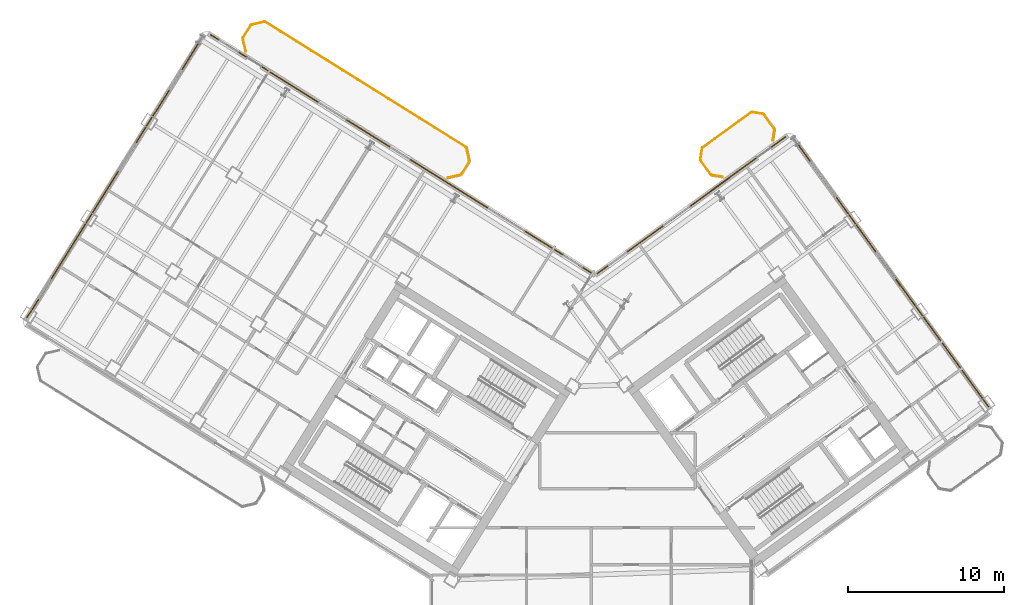
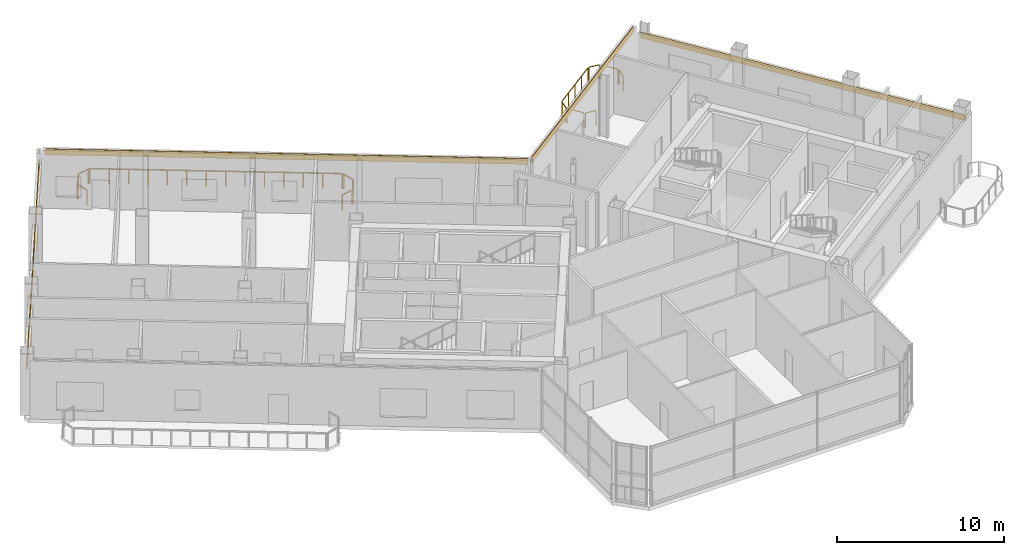
# One storey, part 21 of 21: 14 railings, 4 coverings.
"""IFC4 building model written with IfcOpenShell, lengths in metres."""

from ifc_helpers import new_model, si_unit, direction, frame, origin, origin_2d, place, context, subcontext, project, spatial, rectangle, extrude, source, transform, mapped, material, layer, layer_set, type_object, element, save


model = new_model("IFC4")

# Units and contexts
model_context = context("Model", 3, precision=1e-05, world=origin(), true_north=direction((0.0, 1.0)))
body_context = subcontext(model_context, "Body", "Model", "MODEL_VIEW")
ifc_project = project(units=[si_unit("LENGTHUNIT", "METRE"), si_unit("AREAUNIT", "SQUARE_METRE"), si_unit("VOLUMEUNIT", "CUBIC_METRE"), si_unit("PLANEANGLEUNIT", "RADIAN"), si_unit("MASSUNIT", "GRAM", prefix="KILO")], contexts=[model_context])

# Site, building, storey
site_placement = place(None, origin())
site = spatial("IfcSite", under=ifc_project, at=site_placement, CompositionType="ELEMENT")
building_placement = place(site_placement, origin())
building = spatial("IfcBuilding", under=site, at=building_placement, Name="Tlacorven Tower", CompositionType="ELEMENT")
storey_placement = place(building_placement, frame((0.0, 0.0, 199.5)))
storey = spatial("IfcBuildingStorey", under=building, at=storey_placement, Name="L50", CompositionType="ELEMENT", Elevation=199.5)

# Railings
ifc_material_1 = material(Name="Aluminium and painted steel balustrade", Category="steel")
railing_type = type_object("IfcRailingType", Name="RL-BAL-1100", PredefinedType="BALUSTRADE", material=ifc_material_1)
shared_shape_1 = source(origin(), body_context, "Body", "SweptSolid", [
    extrude(rectangle(XDim=0.048095703125, YDim=0.048095703125, at=origin_2d()), frame((0.0, 0.0, 1.076171875), z_axis=(0.974345290916, 0.225058334816, 0.0), x_axis=(-0.225058334816, 0.974345290916, 0.0)), (0.0, 0.0, 1.0), 0.80712890625),
    extrude(rectangle(XDim=0.0419921875, YDim=0.0419921875, at=origin_2d()), origin(), (0.0, 0.0, 1.0), 1.052001953125),
    extrude(rectangle(XDim=0.0419921875, YDim=0.0419921875, at=origin_2d()), frame((0.786376953125, 0.181640625, 0.0)), (0.0, 0.0, 1.0), 1.052001953125),
])
railing_1_placement = place(storey_placement, frame((20.2138671875, 47.643798828125, 0.0)))
element("IfcRailing", 1, at=railing_1_placement, inside=storey, type_object=railing_type, Name="BAL-L50-W-IN Guard Railing 6", PredefinedType="BALUSTRADE", context=body_context, shape_type="MappedRepresentation", body=[
    mapped(shared_shape_1, transform((0.0, 0.0, 0.0), scale=1.0)),
])
shared_shape_2 = source(origin(), body_context, "Body", "SweptSolid", [
    extrude(rectangle(XDim=0.048095703125, YDim=0.048095703125, at=origin_2d()), frame((0.0, 0.0, 1.076171875), z_axis=(-0.987661653326, 0.156602868908, 0.0), x_axis=(-0.156602868908, -0.987661653326, 0.0)), (0.0, 0.0, 1.0), 0.665771484375),
    extrude(rectangle(XDim=0.0419921875, YDim=0.0419921875, at=origin_2d()), origin(), (0.0, 0.0, 1.0), 1.052001953125),
    extrude(rectangle(XDim=0.0419921875, YDim=0.0419921875, at=origin_2d()), frame((-0.657470703125, 0.104248046875, 0.0)), (0.0, 0.0, 1.0), 1.052001953125),
])
railing_2_placement = place(storey_placement, frame((50.359130859375, 37.891845703125, 0.0)))
element("IfcRailing", 2, at=railing_2_placement, inside=storey, type_object=railing_type, Name="BAL-L50-E-IN Guard Railing 1", PredefinedType="BALUSTRADE", context=body_context, shape_type="MappedRepresentation", body=[
    mapped(shared_shape_2, transform((0.0, 0.0, 0.0), scale=1.0)),
])
shared_shape_3 = source(origin(), body_context, "Body", "SweptSolid", [
    extrude(rectangle(XDim=0.048095703125, YDim=0.048095703125, at=origin_2d()), frame((0.0, 0.0, 1.076171875), z_axis=(0.156602868908, 0.987661653326, 0.0), x_axis=(-0.987661653326, 0.156602868908, 0.0)), (0.0, 0.0, 1.0), 0.665771484375),
    extrude(rectangle(XDim=0.0419921875, YDim=0.0419921875, at=origin_2d()), origin(), (0.0, 0.0, 1.0), 1.052001953125),
    extrude(rectangle(XDim=0.0419921875, YDim=0.0419921875, at=origin_2d()), frame((0.104248046875, 0.657470703125, 0.0)), (0.0, 0.0, 1.0), 1.052001953125),
])
railing_3_placement = place(storey_placement, frame((48.947509765625, 39.033935546875, 0.0)))
element("IfcRailing", 3, at=railing_3_placement, inside=storey, type_object=railing_type, Name="BAL-L50-E-IN Guard Railing 3", PredefinedType="BALUSTRADE", context=body_context, shape_type="MappedRepresentation", body=[
    mapped(shared_shape_3, transform((0.0, 0.0, 0.0), scale=1.0)),
])
shared_shape_4 = source(origin(), body_context, "Body", "SweptSolid", [
    extrude(rectangle(XDim=0.048095703125, YDim=0.048095703125, at=origin_2d()), frame((0.0, 0.0, 1.076171875), z_axis=(-0.156245081039, -0.987718317463, 0.0), x_axis=(0.987718317463, -0.156245081039, 0.0)), (0.0, 0.0, 1.0), 0.66552734375),
    extrude(rectangle(XDim=0.0419921875, YDim=0.0419921875, at=origin_2d()), origin(), (0.0, 0.0, 1.0), 1.052001953125),
    extrude(rectangle(XDim=0.0419921875, YDim=0.0419921875, at=origin_2d()), frame((-0.10400390625, -0.657470703125, 0.0)), (0.0, 0.0, 1.0), 1.052001953125),
])
railing_4_placement = place(storey_placement, frame((53.689453125, 40.893310546875, 0.0)))
element("IfcRailing", 4, at=railing_4_placement, inside=storey, type_object=railing_type, Name="BAL-L50-E-IN Guard Railing 7", PredefinedType="BALUSTRADE", context=body_context, shape_type="MappedRepresentation", body=[
    mapped(shared_shape_4, transform((0.0, 0.0, 0.0), scale=1.0)),
])

# Coverings
ifc_material_2 = material(Name="Precast concrete C45/55", Category="concrete")
ifc_layer = layer(ifc_material_2, 0.06005859375)
ifc_layer_set = layer_set([ifc_layer], Name="Precast concrete C45/55")
covering_type = type_object("IfcCoveringType", Name="CV-CLD-TERC", PredefinedType="CLADDING", material=ifc_layer_set)
shared_shape_5 = source(origin(), body_context, "Body", "SweptSolid", [
    extrude(rectangle(XDim=21.287353515625, YDim=0.06005859375, at=origin_2d()), origin(), (0.0, 0.0, 1.0), 0.419921875),
])
for number, where, z_axis, x_axis, name in (
    (5, (11.419677734375, 37.864013671875, 3.304931640625), (0.0, 0.0, 1.0), (0.529919147866, 0.848048168871, 0.0), "L50 Masonry-Frame Spandrel Cladding 2"),
    (6, (61.15478515625, 31.767333984375, 3.304931640625), (0.0, 0.0, 1.0), (0.587785363163, -0.809016913823, 0.0), "L50 Masonry-Frame Spandrel Cladding 5"),
):
    element("IfcCovering", number, at=place(storey_placement, frame(where, z_axis=z_axis, x_axis=x_axis)), inside=storey, type_object=covering_type, Name=name, PredefinedType="CLADDING", context=body_context, shape_type="MappedRepresentation", body=[
        mapped(shared_shape_5, transform((0.0, 0.0, 0.0), scale=1.0)),
    ])

# Railings
shared_shape_6 = source(origin(), body_context, "Body", "SweptSolid", [
    extrude(rectangle(XDim=0.048095703125, YDim=0.048095703125, at=origin_2d()), frame((0.0, 0.0, 1.076171875), z_axis=(0.529998940003, 0.847998304005, 0.0), x_axis=(-0.847998304005, 0.529998940003, 0.0)), (0.0, 0.0, 1.0), 0.912109375),
    extrude(rectangle(XDim=0.0419921875, YDim=0.0419921875, at=origin_2d()), origin(), (0.0, 0.0, 1.0), 1.052001953125),
    extrude(rectangle(XDim=0.0419921875, YDim=0.0419921875, at=origin_2d()), frame((0.4833984375, 0.7734375, 0.0)), (0.0, 0.0, 1.0), 1.052001953125),
])
railing_5_placement = place(storey_placement, frame((19.6552734375, 46.816650390625, 0.0)))
element("IfcRailing", 7, at=railing_5_placement, inside=storey, type_object=railing_type, Name="BAL-L50-W-IN Guard Railing 5", PredefinedType="BALUSTRADE", context=body_context, shape_type="MappedRepresentation", body=[
    mapped(shared_shape_6, transform((0.0, 0.0, 0.0), scale=1.0)),
])
shared_shape_7 = source(origin(), body_context, "Body", "SweptSolid", [
    extrude(rectangle(XDim=0.048095703125, YDim=0.048095703125, at=origin_2d()), frame((0.0, 0.0, 1.076171875), z_axis=(0.224992020761, -0.974360606036, 0.0), x_axis=(0.974360606036, 0.224992020761, 0.0)), (0.0, 0.0, 1.0), 0.807373046875),
    extrude(rectangle(XDim=0.0419921875, YDim=0.0419921875, at=origin_2d()), origin(), (0.0, 0.0, 1.0), 1.052001953125),
    extrude(rectangle(XDim=0.0419921875, YDim=0.0419921875, at=origin_2d()), frame((0.181640625, -0.78662109375, 0.0)), (0.0, 0.0, 1.0), 1.052001953125),
])
railing_6_placement = place(storey_placement, frame((33.965087890625, 39.72412109375, 0.0)))
element("IfcRailing", 8, at=railing_6_placement, inside=storey, type_object=railing_type, Name="BAL-L50-W-IN Guard Railing 1", PredefinedType="BALUSTRADE", context=body_context, shape_type="MappedRepresentation", body=[
    mapped(shared_shape_7, transform((0.0, 0.0, 0.0), scale=1.0)),
])
shared_shape_8 = source(origin(), body_context, "Body", "SweptSolid", [
    extrude(rectangle(XDim=0.048095703125, YDim=0.048095703125, at=origin_2d()), frame((0.0, 0.0, 1.076171875), z_axis=(-0.529998940003, -0.847998304005, 0.0), x_axis=(0.847998304005, -0.529998940003, 0.0)), (0.0, 0.0, 1.0), 0.912109375),
    extrude(rectangle(XDim=0.0419921875, YDim=0.0419921875, at=origin_2d()), origin(), (0.0, 0.0, 1.0), 1.052001953125),
    extrude(rectangle(XDim=0.0419921875, YDim=0.0419921875, at=origin_2d()), frame((-0.4833984375, -0.7734375, 0.0)), (0.0, 0.0, 1.0), 1.052001953125),
])
railing_7_placement = place(storey_placement, frame((34.131591796875, 38.846435546875, 0.0)))
element("IfcRailing", 9, at=railing_7_placement, inside=storey, type_object=railing_type, Name="BAL-L50-W-IN Guard Railing 2", PredefinedType="BALUSTRADE", context=body_context, shape_type="MappedRepresentation", body=[
    mapped(shared_shape_8, transform((0.0, 0.0, 0.0), scale=1.0)),
])
shared_shape_9 = source(origin(), body_context, "Body", "SweptSolid", [
    extrude(rectangle(XDim=0.048095703125, YDim=0.048095703125, at=origin_2d()), frame((0.0, 0.0, 1.076171875), z_axis=(-0.974360606036, -0.224992020761, 0.0), x_axis=(0.224992020761, -0.974360606036, 0.0)), (0.0, 0.0, 1.0), 0.807373046875),
    extrude(rectangle(XDim=0.0419921875, YDim=0.0419921875, at=origin_2d()), origin(), (0.0, 0.0, 1.0), 1.052001953125),
    extrude(rectangle(XDim=0.0419921875, YDim=0.0419921875, at=origin_2d()), frame((-0.78662109375, -0.181640625, 0.0)), (0.0, 0.0, 1.0), 1.052001953125),
])
railing_8_placement = place(storey_placement, frame((33.572998046875, 38.019287109375, 0.0)))
element("IfcRailing", 10, at=railing_8_placement, inside=storey, type_object=railing_type, Name="BAL-L50-W-IN Guard Railing 3", PredefinedType="BALUSTRADE", context=body_context, shape_type="MappedRepresentation", body=[
    mapped(shared_shape_9, transform((0.0, 0.0, 0.0), scale=1.0)),
])
shared_shape_10 = source(origin(), body_context, "Body", "SweptSolid", [
    extrude(rectangle(XDim=0.048095703125, YDim=0.048095703125, at=origin_2d()), frame((0.0, 0.0, 1.076171875), z_axis=(-0.22470489119, 0.974426863277, 0.0), x_axis=(-0.974426863277, -0.22470489119, 0.0)), (0.0, 0.0, 1.0), 0.807373046875),
    extrude(rectangle(XDim=0.0419921875, YDim=0.0419921875, at=origin_2d()), origin(), (0.0, 0.0, 1.0), 1.052001953125),
    extrude(rectangle(XDim=0.0419921875, YDim=0.0419921875, at=origin_2d()), frame((-0.181396484375, 0.78662109375, 0.0)), (0.0, 0.0, 1.0), 1.052001953125),
])
railing_9_placement = place(storey_placement, frame((19.821533203125, 45.93896484375, 0.0)))
element("IfcRailing", 11, at=railing_9_placement, inside=storey, type_object=railing_type, Name="BAL-L50-W-IN Guard Railing 4", PredefinedType="BALUSTRADE", context=body_context, shape_type="MappedRepresentation", body=[
    mapped(shared_shape_10, transform((0.0, 0.0, 0.0), scale=1.0)),
])
shared_shape_11 = source(origin(), body_context, "Body", "SweptSolid", [
    extrude(rectangle(XDim=0.048095703125, YDim=0.048095703125, at=origin_2d()), frame((0.0, 0.0, 1.076171875), z_axis=(0.848051830527, -0.529913287944, 0.0), x_axis=(0.529913287944, 0.848051830527, 0.0)), (0.0, 0.0, 1.0), 15.1171875),
    extrude(rectangle(XDim=0.0419921875, YDim=0.0419921875, at=origin_2d()), origin(), (0.0, 0.0, 1.0), 1.052001953125),
    extrude(rectangle(XDim=0.0419921875, YDim=0.0419921875, at=origin_2d()), frame((0.986083984375, -0.6162109375, 0.0)), (0.0, 0.0, 1.0), 1.052001953125),
    extrude(rectangle(XDim=0.0419921875, YDim=0.0419921875, at=origin_2d()), frame((1.972412109375, -1.232421875, 0.0)), (0.0, 0.0, 1.0), 1.052001953125),
    extrude(rectangle(XDim=0.0419921875, YDim=0.0419921875, at=origin_2d()), frame((2.95849609375, -1.8486328125, 0.0)), (0.0, 0.0, 1.0), 1.052001953125),
    extrude(rectangle(XDim=0.0419921875, YDim=0.0419921875, at=origin_2d()), frame((3.944580078125, -2.46484375, 0.0)), (0.0, 0.0, 1.0), 1.052001953125),
    extrude(rectangle(XDim=0.0419921875, YDim=0.0419921875, at=origin_2d()), frame((4.930908203125, -3.0810546875, 0.0)), (0.0, 0.0, 1.0), 1.052001953125),
    extrude(rectangle(XDim=0.0419921875, YDim=0.0419921875, at=origin_2d()), frame((5.9169921875, -3.697265625, 0.0)), (0.0, 0.0, 1.0), 1.052001953125),
    extrude(rectangle(XDim=0.0419921875, YDim=0.0419921875, at=origin_2d()), frame((6.903076171875, -4.3134765625, 0.0)), (0.0, 0.0, 1.0), 1.052001953125),
    extrude(rectangle(XDim=0.0419921875, YDim=0.0419921875, at=origin_2d()), frame((7.88916015625, -4.9296875, 0.0)), (0.0, 0.0, 1.0), 1.052001953125),
    extrude(rectangle(XDim=0.0419921875, YDim=0.0419921875, at=origin_2d()), frame((8.87548828125, -5.5458984375, 0.0)), (0.0, 0.0, 1.0), 1.052001953125),
    extrude(rectangle(XDim=0.0419921875, YDim=0.0419921875, at=origin_2d()), frame((9.861572265625, -6.162109375, 0.0)), (0.0, 0.0, 1.0), 1.052001953125),
    extrude(rectangle(XDim=0.0419921875, YDim=0.0419921875, at=origin_2d()), frame((10.84765625, -6.7783203125, 0.0)), (0.0, 0.0, 1.0), 1.052001953125),
    extrude(rectangle(XDim=0.0419921875, YDim=0.0419921875, at=origin_2d()), frame((11.833984375, -7.39453125, 0.0)), (0.0, 0.0, 1.0), 1.052001953125),
    extrude(rectangle(XDim=0.0419921875, YDim=0.0419921875, at=origin_2d()), frame((12.820068359375, -8.0107421875, 0.0)), (0.0, 0.0, 1.0), 1.052001953125),
])
railing_10_placement = place(storey_placement, frame((21.091552734375, 47.81005859375, 0.0)))
element("IfcRailing", 12, at=railing_10_placement, inside=storey, type_object=railing_type, Name="BAL-L50-W-IN Guard Railing 7", PredefinedType="BALUSTRADE", context=body_context, shape_type="MappedRepresentation", body=[
    mapped(shared_shape_11, transform((0.0, 0.0, 0.0), scale=1.0)),
])
shared_shape_12 = source(origin(), body_context, "Body", "SweptSolid", [
    extrude(rectangle(XDim=0.048095703125, YDim=0.048095703125, at=origin_2d()), frame((0.0, 0.0, 1.076171875), z_axis=(-0.587636431696, 0.809125097957, 0.0), x_axis=(-0.809125097957, -0.587636431696, 0.0)), (0.0, 0.0, 1.0), 1.1123046875),
    extrude(rectangle(XDim=0.0419921875, YDim=0.0419921875, at=origin_2d()), origin(), (0.0, 0.0, 1.0), 1.052001953125),
    extrude(rectangle(XDim=0.0419921875, YDim=0.0419921875, at=origin_2d()), frame((-0.653564453125, 0.89990234375, 0.0)), (0.0, 0.0, 1.0), 1.052001953125),
])
railing_11_placement = place(storey_placement, frame((49.622802734375, 38.044189453125, 0.0)))
element("IfcRailing", 13, at=railing_11_placement, inside=storey, type_object=railing_type, Name="BAL-L50-E-IN Guard Railing 2", PredefinedType="BALUSTRADE", context=body_context, shape_type="MappedRepresentation", body=[
    mapped(shared_shape_12, transform((0.0, 0.0, 0.0), scale=1.0)),
])
shared_shape_13 = source(origin(), body_context, "Body", "SweptSolid", [
    extrude(rectangle(XDim=0.048095703125, YDim=0.048095703125, at=origin_2d()), frame((0.0, 0.0, 1.076171875), z_axis=(0.809018102573, 0.587783726986, 0.0), x_axis=(-0.587783726986, 0.809018102573, 0.0)), (0.0, 0.0, 1.0), 3.817138671875),
    extrude(rectangle(XDim=0.0419921875, YDim=0.0419921875, at=origin_2d()), origin(), (0.0, 0.0, 1.0), 1.052001953125),
    extrude(rectangle(XDim=0.0419921875, YDim=0.0419921875, at=origin_2d()), frame((0.77197265625, 0.56103515625, 0.0)), (0.0, 0.0, 1.0), 1.052001953125),
    extrude(rectangle(XDim=0.0419921875, YDim=0.0419921875, at=origin_2d()), frame((1.5439453125, 1.121826171875, 0.0)), (0.0, 0.0, 1.0), 1.052001953125),
    extrude(rectangle(XDim=0.0419921875, YDim=0.0419921875, at=origin_2d()), frame((2.316162109375, 1.6826171875, 0.0)), (0.0, 0.0, 1.0), 1.052001953125),
    extrude(rectangle(XDim=0.0419921875, YDim=0.0419921875, at=origin_2d()), frame((3.088134765625, 2.24365234375, 0.0)), (0.0, 0.0, 1.0), 1.052001953125),
])
railing_12_placement = place(storey_placement, frame((49.10009765625, 39.77001953125, 0.0)))
element("IfcRailing", 14, at=railing_12_placement, inside=storey, type_object=railing_type, Name="BAL-L50-E-IN Guard Railing 4", PredefinedType="BALUSTRADE", context=body_context, shape_type="MappedRepresentation", body=[
    mapped(shared_shape_13, transform((0.0, 0.0, 0.0), scale=1.0)),
])
shared_shape_14 = source(origin(), body_context, "Body", "SweptSolid", [
    extrude(rectangle(XDim=0.048095703125, YDim=0.048095703125, at=origin_2d()), frame((0.0, 0.0, 1.076171875), z_axis=(0.987661653326, -0.156602868908, 0.0), x_axis=(0.156602868908, 0.987661653326, 0.0)), (0.0, 0.0, 1.0), 0.665771484375),
    extrude(rectangle(XDim=0.0419921875, YDim=0.0419921875, at=origin_2d()), origin(), (0.0, 0.0, 1.0), 1.052001953125),
    extrude(rectangle(XDim=0.0419921875, YDim=0.0419921875, at=origin_2d()), frame((0.657470703125, -0.104248046875, 0.0)), (0.0, 0.0, 1.0), 1.052001953125),
])
railing_13_placement = place(storey_placement, frame((52.278076171875, 42.035400390625, 0.0)))
element("IfcRailing", 15, at=railing_13_placement, inside=storey, type_object=railing_type, Name="BAL-L50-E-IN Guard Railing 5", PredefinedType="BALUSTRADE", context=body_context, shape_type="MappedRepresentation", body=[
    mapped(shared_shape_14, transform((0.0, 0.0, 0.0), scale=1.0)),
])
shared_shape_15 = source(origin(), body_context, "Body", "SweptSolid", [
    extrude(rectangle(XDim=0.048095703125, YDim=0.048095703125, at=origin_2d()), frame((0.0, 0.0, 1.076171875), z_axis=(0.587780115446, -0.809020726488, 0.0), x_axis=(0.809020726488, 0.587780115446, 0.0)), (0.0, 0.0, 1.0), 1.1123046875),
    extrude(rectangle(XDim=0.0419921875, YDim=0.0419921875, at=origin_2d()), origin(), (0.0, 0.0, 1.0), 1.052001953125),
    extrude(rectangle(XDim=0.0419921875, YDim=0.0419921875, at=origin_2d()), frame((0.65380859375, -0.89990234375, 0.0)), (0.0, 0.0, 1.0), 1.052001953125),
])
railing_14_placement = place(storey_placement, frame((53.01416015625, 41.883056640625, 0.0)))
element("IfcRailing", 16, at=railing_14_placement, inside=storey, type_object=railing_type, Name="BAL-L50-E-IN Guard Railing 6", PredefinedType="BALUSTRADE", context=body_context, shape_type="MappedRepresentation", body=[
    mapped(shared_shape_15, transform((0.0, 0.0, 0.0), scale=1.0)),
])

# Coverings
shared_shape_16 = source(origin(), body_context, "Body", "SweptSolid", [
    extrude(rectangle(XDim=28.923095703125, YDim=0.06005859375, at=origin_2d()), origin(), (0.0, 0.0, 1.0), 0.419921875),
])
covering_1_placement = place(storey_placement, frame((29.815185546875, 39.34033203125, 3.830078125), z_axis=(0.0, 0.0, 1.0), x_axis=(0.848048220257, -0.52991906563, 0.0)))
element("IfcCovering", 17, at=covering_1_placement, inside=storey, type_object=covering_type, Name="L50 Masonry-Frame Spandrel Cladding 3", PredefinedType="CLADDING", context=body_context, shape_type="MappedRepresentation", body=[
    mapped(shared_shape_16, transform((0.0, 0.0, 0.0), scale=1.0)),
])
shared_shape_17 = source(origin(), body_context, "Body", "SweptSolid", [
    extrude(rectangle(XDim=14.923095703125, YDim=0.06005859375, at=origin_2d()), origin(), (0.0, 0.0, 1.0), 0.419921875),
])
covering_2_placement = place(storey_placement, frame((48.3642578125, 36.0712890625, 3.830078125), z_axis=(0.0, 0.0, 1.0), x_axis=(0.809016703631, 0.587785652468, 0.0)))
element("IfcCovering", 18, at=covering_2_placement, inside=storey, type_object=covering_type, Name="L50 Masonry-Frame Spandrel Cladding 4", PredefinedType="CLADDING", context=body_context, shape_type="MappedRepresentation", body=[
    mapped(shared_shape_17, transform((0.0, 0.0, 0.0), scale=1.0)),
])

save(model, "model.ifc")
